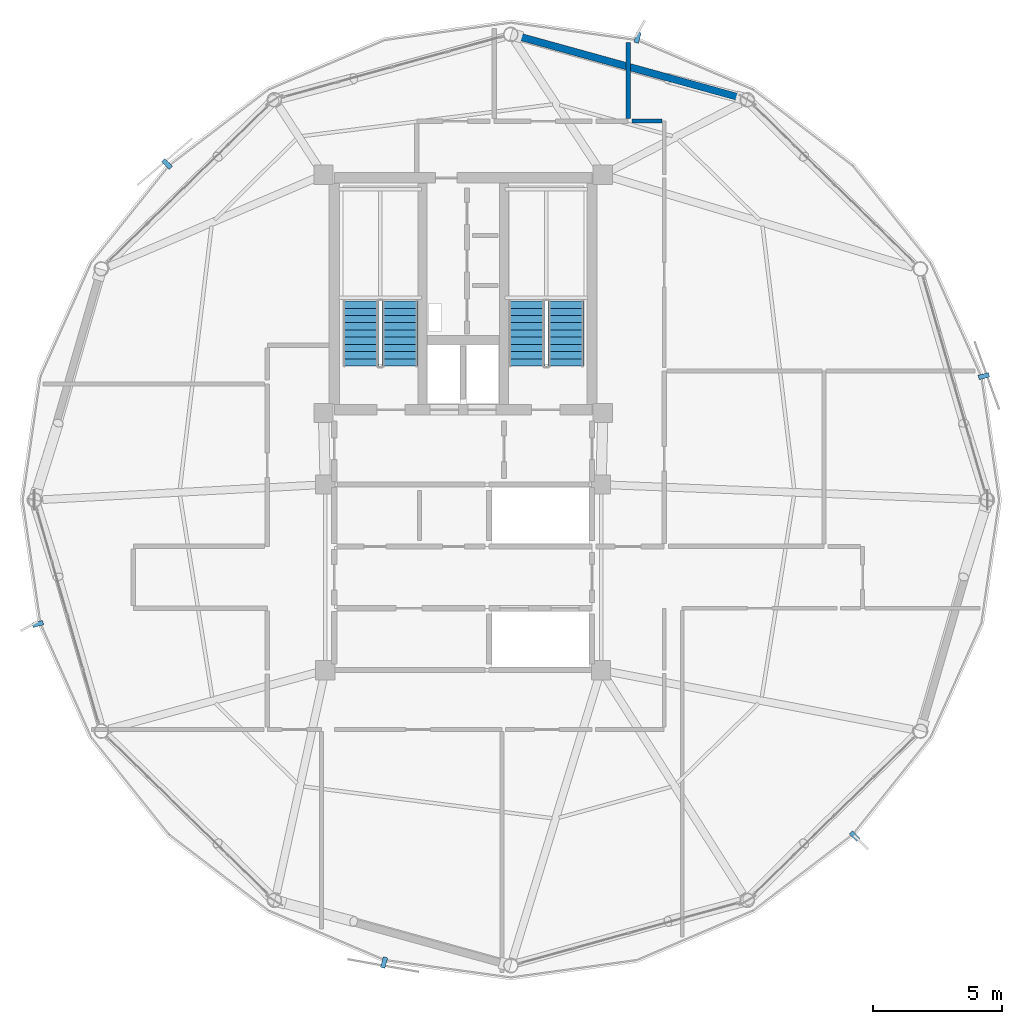
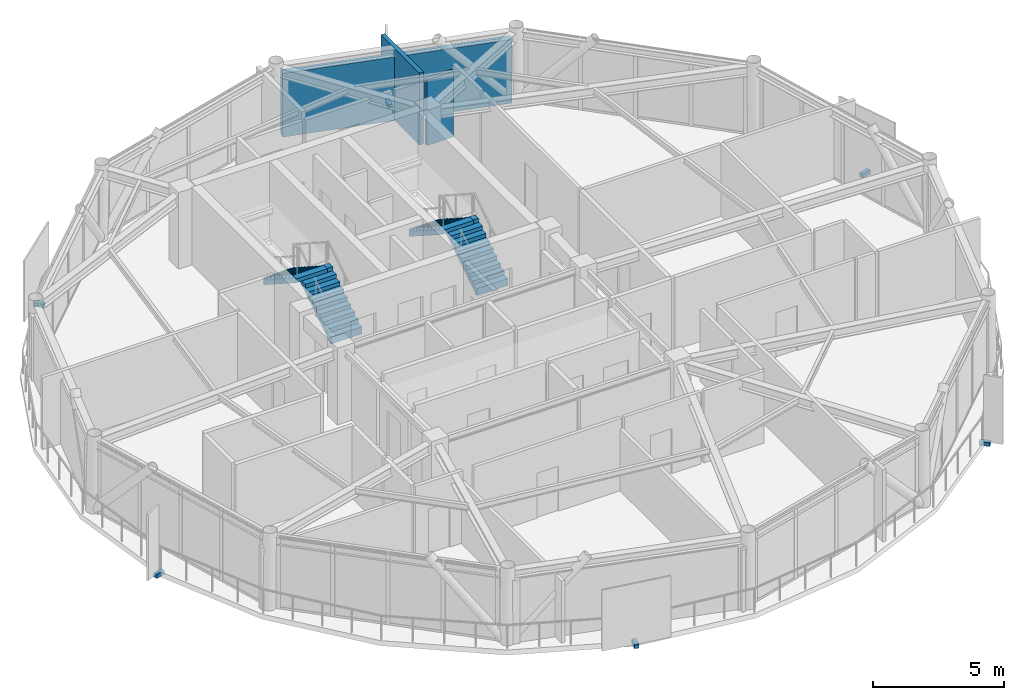
# One storey, part 24 of 27: 6 discrete accessories, 4 stair flights, 3 walls, 2 elements without a shape of their own.
"""IFC4 building model written with IfcOpenShell, lengths in metres."""

from ifc_helpers import new_model, si_unit, direction, frame, frame_2d, origin, origin_2d, place, context, subcontext, project, spatial, polyline, rectangle, outline, extrude, source, transform, mapped, material, layer, layer_set, type_object, type_shapes, element, aggregate, save


model = new_model("IFC4")

# Units and contexts
model_context = context("Model", 3, precision=1e-05, world=origin(), true_north=direction((0.0, 1.0)))
body_context = subcontext(model_context, "Body", "Model", "MODEL_VIEW")
ifc_project = project(units=[si_unit("LENGTHUNIT", "METRE"), si_unit("AREAUNIT", "SQUARE_METRE"), si_unit("VOLUMEUNIT", "CUBIC_METRE"), si_unit("PLANEANGLEUNIT", "RADIAN"), si_unit("MASSUNIT", "GRAM", prefix="KILO")], contexts=[model_context])

# Site, building, storey
site_placement = place(None, origin())
site = spatial("IfcSite", under=ifc_project, at=site_placement, CompositionType="ELEMENT")
building_placement = place(site_placement, origin())
building = spatial("IfcBuilding", under=site, at=building_placement, Name="Varnakorn Sky Granary", CompositionType="ELEMENT")
storey_placement = place(building_placement, frame((0.0, 0.0, 249.0)))
storey = spatial("IfcBuildingStorey", under=building, at=storey_placement, Name="L63", CompositionType="ELEMENT", Elevation=249.0)

# Walls
ifc_material_1 = material(Name="Precast concrete C40/50", Category="concrete")
ifc_layer_1 = layer(ifc_material_1, 0.280029296875, Name="Precast concrete C40/50")
ifc_layer_set_1 = layer_set([ifc_layer_1], Name="Precast concrete C40/50")
wall_type_1 = type_object("IfcWallType", Name="WT-EW-CRN-280", PredefinedType="SOLIDWALL", material=ifc_layer_set_1)
wall_1_placement = place(storey_placement, frame((5.075927734375, 18.010498046875, 0.0), z_axis=(0.0, 0.0, 1.0), x_axis=(0.963840886529, -0.266478414614, 0.0)))
element("IfcWall", 1, at=wall_1_placement, inside=storey, type_object=wall_type_1, Name="Agritech Insulated Precast Facade Wall L63-P03", PredefinedType="SOLIDWALL", context=body_context, shape_type="SweptSolid", body=[
    extrude(rectangle(XDim=9.055419921875, YDim=0.280029296875, at=frame_2d((4.52783203125, 0.0))), origin(), (0.0, 0.0, 1.0), 2.969970703125),
])
ifc_material_2 = material(Name="Gypsum Plasterboard on Steel Stud", Category="steel")
ifc_layer_2 = layer(ifc_material_2, 0.14990234375, Name="Gypsum Plasterboard on Steel Stud")
ifc_layer_set_2 = layer_set([ifc_layer_2], Name="Gypsum Plasterboard on Steel Stud")
wall_type_2 = type_object("IfcWallType", Name="WT-PART-150", PredefinedType="PARTITIONING", material=ifc_layer_set_2)
wall_2_placement = place(storey_placement, frame((10.715087890625, 14.699951171875, 0.0), z_axis=(0.0, 0.0, 1.0), x_axis=(-1.0, 0.0, 0.0)))
element("IfcWall", 2, at=wall_2_placement, inside=storey, type_object=wall_type_2, Name="Interior Partition Wall L63-062", PredefinedType="PARTITIONING", context=body_context, shape_type="SweptSolid", body=[
    extrude(rectangle(XDim=1.1650390625, YDim=0.14990234375, at=frame_2d((0.58251953125, 0.0))), origin(), (0.0, 0.0, 1.0), 3.072021484375),
])
ifc_material_3 = material(Name="Moisture-Resistant Gypsum on Stud", Category="gypsum")
ifc_layer_3 = layer(ifc_material_3, 0.179931640625, Name="Moisture-Resistant Gypsum on Stud")
ifc_layer_set_3 = layer_set([ifc_layer_3], Name="Moisture-Resistant Gypsum on Stud")
wall_type_3 = type_object("IfcWallType", Name="WT-PLUMB-180", PredefinedType="PLUMBINGWALL", material=ifc_layer_set_3)
wall_3_placement = place(storey_placement, frame((9.39990234375, 14.800048828125, 0.0), z_axis=(0.0, 0.0, 1.0), x_axis=(0.0, 1.0, 0.0)))
element("IfcWall", 3, at=wall_3_placement, inside=storey, type_object=wall_type_3, Name="Interior Partition Wall L63-063", PredefinedType="PLUMBINGWALL", context=body_context, shape_type="SweptSolid", body=[
    extrude(rectangle(XDim=2.954833984375, YDim=0.179931640625, at=frame_2d((1.4775390625, 0.0))), origin(), (0.0, 0.0, 1.0), 3.360107421875),
])

# Stair, stair flights
ifc_material_4 = material(Name="Concrete C40/50", Category="concrete")
stair_type = type_object("IfcStairType", Name="ST-MAIN-ASSEMBLY", PredefinedType="HALF_TURN_STAIR", material=ifc_material_4)
stair_1_placement = place(storey_placement, origin())
stair_1 = element("IfcStair", 4, at=stair_1_placement, inside=storey, type_object=stair_type, Name="L63 Protected Exit Stair ST-1", PredefinedType="HALF_TURN_STAIR")
stair_flight_type = type_object("IfcStairFlightType", Name="ST-MAIN-FLIGHT", PredefinedType="STRAIGHT", material=ifc_material_4)
stair_flight_1_placement = place(storey_placement, frame((0.550048828125, 5.199951171875, 0.0), z_axis=(0.0, 0.0, 1.0), x_axis=(0.0, 1.0, 0.0)))
stair_flight_1 = element("IfcStairFlight", 5, at=stair_flight_1_placement, type_object=stair_flight_type, Name="ST-1 flight 1", NumberOfRisers=10, NumberOfTreads=9, PredefinedType="STRAIGHT", RiserHeight=0.18, TreadLength=0.28, context=body_context, shape_type="SweptSolid", body=[
    extrude(outline(polyline([(0.0, -0.14990234375), (0.0, 0.0), (0.0, 0.179931640625), (0.280029296875, 0.179931640625), (0.280029296875, 0.360107421875), (0.56005859375, 0.360107421875), (0.56005859375, 0.5400390625), (0.840087890625, 0.5400390625), (0.840087890625, 0.719970703125), (1.1201171875, 0.719970703125), (1.1201171875, 0.89990234375), (1.39990234375, 0.89990234375), (1.39990234375, 1.080078125), (1.679931640625, 1.080078125), (1.679931640625, 1.260009765625), (1.9599609375, 1.260009765625), (1.9599609375, 1.43994140625), (2.239990234375, 1.43994140625), (2.239990234375, 1.6201171875), (2.52001953125, 1.6201171875), (2.52001953125, 1.800048828125), (2.52001953125, 1.44189453125), (0.050048828125, -0.14990234375), (0.0, -0.14990234375)])), frame((0.0, 0.68994140625, 0.0), z_axis=(0.0, -1.0, 0.0), x_axis=(1.0, 0.0, 0.0)), (0.0, 0.0, 1.0), 1.3798828125),
])
stair_flight_2_placement = place(storey_placement, frame((-0.97998046875, 7.719970703125, 1.800048828125), z_axis=(0.0, 0.0, 1.0), x_axis=(0.0, -1.0, 0.0)))
stair_flight_2 = element("IfcStairFlight", 6, at=stair_flight_2_placement, type_object=stair_flight_type, Name="ST-1 flight 2", NumberOfRisers=10, NumberOfTreads=9, PredefinedType="STRAIGHT", RiserHeight=0.18, TreadLength=0.28, context=body_context, shape_type="SweptSolid", body=[
    extrude(outline(polyline([(0.0, -0.14990234375), (0.0, 0.0), (0.0, 0.179931640625), (0.280029296875, 0.179931640625), (0.280029296875, 0.360107421875), (0.56005859375, 0.360107421875), (0.56005859375, 0.5400390625), (0.840087890625, 0.5400390625), (0.840087890625, 0.719970703125), (1.1201171875, 0.719970703125), (1.1201171875, 0.89990234375), (1.39990234375, 0.89990234375), (1.39990234375, 1.080078125), (1.679931640625, 1.080078125), (1.679931640625, 1.260009765625), (1.9599609375, 1.260009765625), (1.9599609375, 1.43994140625), (2.239990234375, 1.43994140625), (2.239990234375, 1.6201171875), (2.52001953125, 1.6201171875), (2.52001953125, 1.800048828125), (2.52001953125, 1.44189453125), (0.050048828125, -0.14990234375), (0.0, -0.14990234375)])), frame((0.0, 0.68994140625, 0.0), z_axis=(0.0, -1.0, 0.0), x_axis=(1.0, 0.0, 0.0)), (0.0, 0.0, 1.0), 1.3798828125),
])
aggregate(stair_1, [stair_flight_1, stair_flight_2])

stair_2_placement = place(storey_placement, origin())
stair_2 = element("IfcStair", 7, at=stair_2_placement, inside=storey, type_object=stair_type, Name="L63 Protected Exit Stair ST-2", PredefinedType="HALF_TURN_STAIR")
stair_flight_3_placement = place(storey_placement, frame((6.989990234375, 5.199951171875, 0.0), z_axis=(0.0, 0.0, 1.0), x_axis=(0.0, 1.0, 0.0)))
stair_flight_3 = element("IfcStairFlight", 8, at=stair_flight_3_placement, type_object=stair_flight_type, Name="ST-2 flight 1", NumberOfRisers=10, NumberOfTreads=9, PredefinedType="STRAIGHT", RiserHeight=0.18, TreadLength=0.28, context=body_context, shape_type="SweptSolid", body=[
    extrude(outline(polyline([(0.0, -0.14990234375), (0.0, 0.0), (0.0, 0.179931640625), (0.280029296875, 0.179931640625), (0.280029296875, 0.360107421875), (0.56005859375, 0.360107421875), (0.56005859375, 0.5400390625), (0.840087890625, 0.5400390625), (0.840087890625, 0.719970703125), (1.1201171875, 0.719970703125), (1.1201171875, 0.89990234375), (1.39990234375, 0.89990234375), (1.39990234375, 1.080078125), (1.679931640625, 1.080078125), (1.679931640625, 1.260009765625), (1.9599609375, 1.260009765625), (1.9599609375, 1.43994140625), (2.239990234375, 1.43994140625), (2.239990234375, 1.6201171875), (2.52001953125, 1.6201171875), (2.52001953125, 1.800048828125), (2.52001953125, 1.44189453125), (0.050048828125, -0.14990234375), (0.0, -0.14990234375)])), frame((0.0, 0.68994140625, 0.0), z_axis=(0.0, -1.0, 0.0), x_axis=(1.0, 0.0, 0.0)), (0.0, 0.0, 1.0), 1.3798828125),
])
stair_flight_4_placement = place(storey_placement, frame((5.4599609375, 7.719970703125, 1.800048828125), z_axis=(0.0, 0.0, 1.0), x_axis=(0.0, -1.0, 0.0)))
stair_flight_4 = element("IfcStairFlight", 9, at=stair_flight_4_placement, type_object=stair_flight_type, Name="ST-2 flight 2", NumberOfRisers=10, NumberOfTreads=9, PredefinedType="STRAIGHT", RiserHeight=0.18, TreadLength=0.28, context=body_context, shape_type="SweptSolid", body=[
    extrude(outline(polyline([(0.0, -0.14990234375), (0.0, 0.0), (0.0, 0.179931640625), (0.280029296875, 0.179931640625), (0.280029296875, 0.360107421875), (0.56005859375, 0.360107421875), (0.56005859375, 0.5400390625), (0.840087890625, 0.5400390625), (0.840087890625, 0.719970703125), (1.1201171875, 0.719970703125), (1.1201171875, 0.89990234375), (1.39990234375, 0.89990234375), (1.39990234375, 1.080078125), (1.679931640625, 1.080078125), (1.679931640625, 1.260009765625), (1.9599609375, 1.260009765625), (1.9599609375, 1.43994140625), (2.239990234375, 1.43994140625), (2.239990234375, 1.6201171875), (2.52001953125, 1.6201171875), (2.52001953125, 1.800048828125), (2.52001953125, 1.44189453125), (0.050048828125, -0.14990234375), (0.0, -0.14990234375)])), frame((0.0, 0.68994140625, 0.0), z_axis=(0.0, -1.0, 0.0), x_axis=(1.0, 0.0, 0.0)), (0.0, 0.0, 1.0), 1.3798828125),
])
aggregate(stair_2, [stair_flight_3, stair_flight_4])

# Discrete accessories
ifc_material_5 = material(Name="Steel S355JR", Category="steel")
discrete_accessory_type = type_object("IfcDiscreteAccessoryType", Name="AC-BRK-01", PredefinedType="BRACKET", material=ifc_material_5)
shared_shape = source(origin(), body_context, "Body", "SweptSolid", [
    extrude(rectangle(XDim=0.179931640625, YDim=0.419921875, at=origin_2d()), origin(), (0.0, 0.0, 1.0), 0.179931640625),
])
type_shapes(discrete_accessory_type, [shared_shape])
for number, where, z_axis, x_axis, name in (
    (10, (23.202880859375, 4.8076171875, -0.2001953125), (0.0, 0.0, 1.0), (-0.25341009484, 0.967358942602, 0.0), "Facade Solar-Screen Outrigger Bracket L63-01"),
    (11, (9.768310546875, 17.94482421875, -0.2001953125), (0.0, 0.0, 1.0), (-0.964433261216, 0.264326473627, 0.0), "Facade Solar-Screen Outrigger Bracket L63-03"),
    (12, (-8.490478515625, 13.040283203125, -0.2001953125), (0.0, 0.0, 1.0), (-0.69901140342, -0.71511052145, 0.0), "Facade Solar-Screen Outrigger Bracket L63-05"),
    (13, (-13.502685546875, -4.8076171875, -0.2001953125), (0.0, 0.0, 1.0), (0.25341009484, -0.967358942602, 0.0), "Facade Solar-Screen Outrigger Bracket L63-07"),
    (14, (-0.068115234375, -17.94482421875, -0.2001953125), (0.0, 0.0, 1.0), (0.964433261216, -0.264326473627, 0.0), "Facade Solar-Screen Outrigger Bracket L63-09"),
    (15, (18.1904296875, -13.040283203125, -0.2001953125), (0.0, 0.0, 1.0), (0.69901140342, 0.71511052145, 0.0), "Facade Solar-Screen Outrigger Bracket L63-11"),
):
    element("IfcDiscreteAccessory", number, at=place(storey_placement, frame(where, z_axis=z_axis, x_axis=x_axis)), inside=storey, type_object=discrete_accessory_type, Name=name, PredefinedType="BRACKET", context=body_context, shape_type="MappedRepresentation", body=[
        mapped(shared_shape, transform((0.0, 0.0, 0.0), x_axis=(1.0, 0.0, 0.0), y_axis=(0.0, 1.0, 0.0), z_axis=(0.0, 0.0, 1.0), scale=1.0)),
    ])

save(model, "model.ifc")
